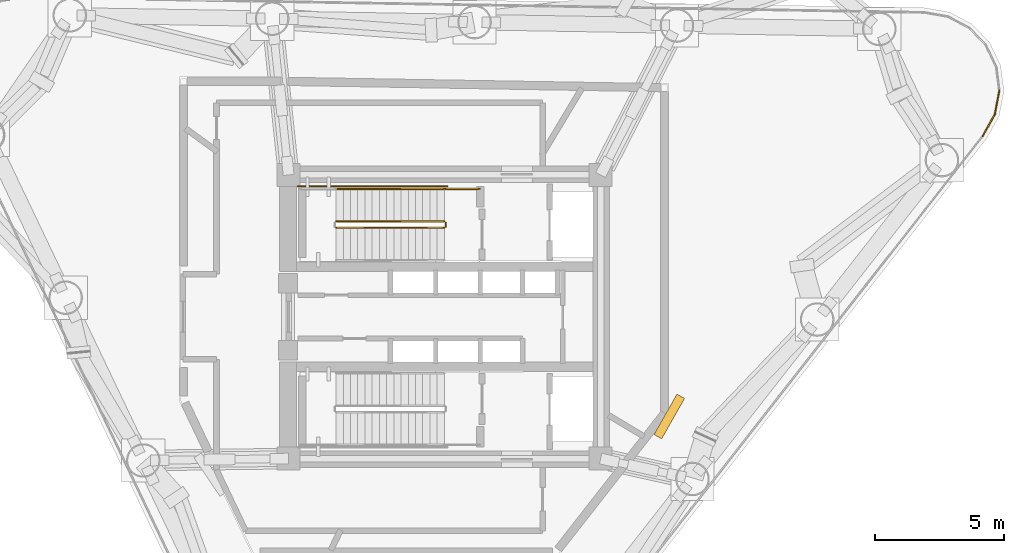
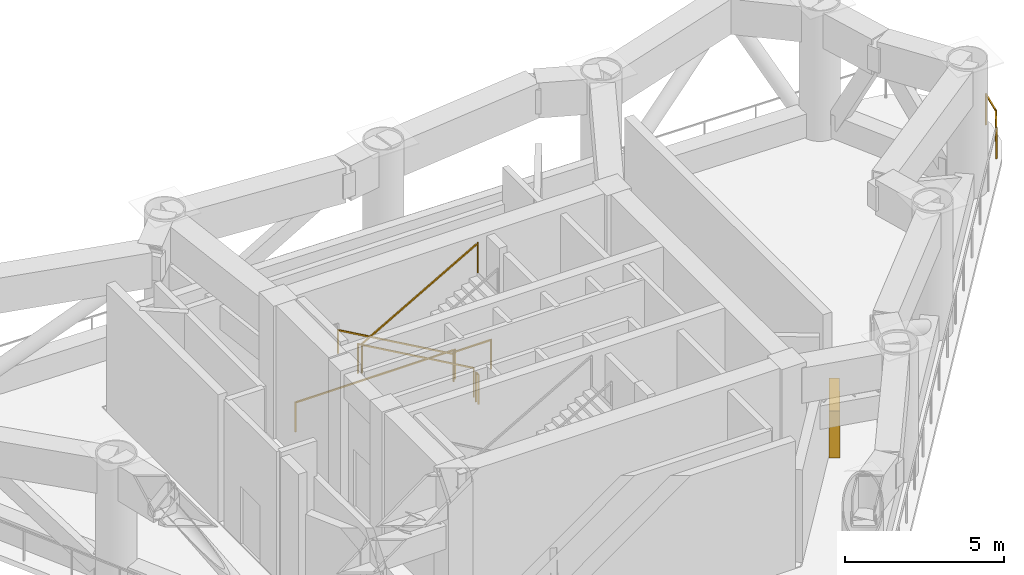
# One storey, part 8 of 9: 8 railings, 1 shading device.
"""IFC4 building model written with IfcOpenShell, lengths in metres."""

from ifc_helpers import new_model, si_unit, direction, frame, origin, origin_2d, place, context, subcontext, project, spatial, rectangle, extrude, source, transform, mapped, material, layer, layer_set, type_object, element, save


model = new_model("IFC4")

# Units and contexts
model_context = context("Model", 3, precision=1e-05, world=origin(), true_north=direction((0.0, 1.0)))
body_context = subcontext(model_context, "Body", "Model", "MODEL_VIEW")
ifc_project = project(units=[si_unit("LENGTHUNIT", "METRE"), si_unit("AREAUNIT", "SQUARE_METRE"), si_unit("VOLUMEUNIT", "CUBIC_METRE"), si_unit("PLANEANGLEUNIT", "RADIAN"), si_unit("MASSUNIT", "GRAM", prefix="KILO")], contexts=[model_context])

# Site, building, storey
site_placement = place(None, origin())
site = spatial("IfcSite", under=ifc_project, at=site_placement, CompositionType="ELEMENT")
building_placement = place(site_placement, origin())
building = spatial("IfcBuilding", under=site, at=building_placement, Name="Yunling Apex Tower", CompositionType="ELEMENT")
storey_placement = place(building_placement, frame((0.0, 0.0, 153.64990234375)))
storey = spatial("IfcBuildingStorey", under=building, at=storey_placement, Name="RF4", CompositionType="ELEMENT", Elevation=153.64990234375)

# Railings
ifc_material_1 = material(Name="Bronze anodised aluminium", Category="aluminium")
railing_type_1 = type_object("IfcRailingType", Name="RL-BAL-1200", PredefinedType="BALUSTRADE", material=ifc_material_1)
railing_1_placement = place(storey_placement, frame((21.513671875, 8.780517578125, 0.0)))
element("IfcRailing", 1, at=railing_1_placement, inside=storey, type_object=railing_type_1, Name="RL-REF-RF4-15", PredefinedType="BALUSTRADE", context=body_context, shape_type="SweptSolid", body=[
    extrude(rectangle(XDim=0.0439453125, YDim=0.0439453125, at=origin_2d()), origin(), (0.0, 0.0, 1.0), 1.199951171875),
    extrude(rectangle(XDim=0.0439453125, YDim=0.0439453125, at=origin_2d()), frame((-0.18017578125, -0.943115234375, 0.0)), (0.0, 0.0, 1.0), 1.199951171875),
    extrude(rectangle(XDim=0.050048828125, YDim=0.050048828125, at=origin_2d()), frame((-0.007080078125, -0.03759765625, 1.1748046875), z_axis=(-0.187649547232, -0.982236044657, 0.0), x_axis=(0.982236044657, -0.187649547232, 0.0)), (0.0, 0.0, 1.0), 0.883544921875),
])
railing_2_placement = place(storey_placement, frame((21.343505859375, 7.865234375, 0.0)))
element("IfcRailing", 2, at=railing_2_placement, inside=storey, type_object=railing_type_1, Name="RL-REF-RF4-16", PredefinedType="BALUSTRADE", context=body_context, shape_type="SweptSolid", body=[
    extrude(rectangle(XDim=0.0439453125, YDim=0.0439453125, at=origin_2d()), origin(), (0.0, 0.0, 1.0), 1.199951171875),
    extrude(rectangle(XDim=0.0439453125, YDim=0.0439453125, at=origin_2d()), frame((-0.4716796875, -0.8525390625, 0.0)), (0.0, 0.0, 1.0), 1.199951171875),
    extrude(rectangle(XDim=0.050048828125, YDim=0.050048828125, at=origin_2d()), frame((-0.0185546875, -0.033447265625, 1.1748046875), z_axis=(-0.484110370248, -0.875006942497, 0.0), x_axis=(0.875006942497, -0.484110370248, 0.0)), (0.0, 0.0, 1.0), 0.897705078125),
])
ifc_material_2 = material(Name="Steel Q355B", Category="steel")
railing_type_2 = type_object("IfcRailingType", Name="RL-GRD-1150", PredefinedType="GUARDRAIL", material=ifc_material_2)
railing_3_placement = place(storey_placement, frame((-0.010009765625, 3.699951171875, 0.159423828125)))
element("IfcRailing", 3, at=railing_3_placement, inside=storey, type_object=railing_type_2, Name="RF4 ST-1 stair guard 1", PredefinedType="GUARDRAIL", context=body_context, shape_type="SweptSolid", body=[
    extrude(rectangle(XDim=0.0439453125, YDim=0.0439453125, at=origin_2d()), origin(), (0.0, 0.0, 1.0), 1.14990234375),
    extrude(rectangle(XDim=0.0439453125, YDim=0.0439453125, at=origin_2d()), frame((-4.199951171875, 0.0, 2.390625)), (0.0, 0.0, 1.0), 1.14990234375),
    extrude(rectangle(XDim=0.050048828125, YDim=0.050048828125, at=origin_2d()), frame((-0.033203125, 0.0, 1.143798828125), z_axis=(-0.869075089623, 0.0, 0.494680188199), x_axis=(0.0, -1.0, 0.0)), (0.0, 0.0, 1.0), 4.756103515625),
])
railing_4_placement = place(storey_placement, frame((-4.2099609375, 3.449951171875, 2.70947265625)))
element("IfcRailing", 4, at=railing_4_placement, inside=storey, type_object=railing_type_2, Name="RF4 ST-1 stair guard 4", PredefinedType="GUARDRAIL", context=body_context, shape_type="SweptSolid", body=[
    extrude(rectangle(XDim=0.0439453125, YDim=0.0439453125, at=origin_2d()), origin(), (0.0, 0.0, 1.0), 1.14990234375),
    extrude(rectangle(XDim=0.0439453125, YDim=0.0439453125, at=origin_2d()), frame((4.199951171875, 0.0, 2.390625)), (0.0, 0.0, 1.0), 1.14990234375),
    extrude(rectangle(XDim=0.050048828125, YDim=0.050048828125, at=origin_2d()), frame((0.033203125, 0.0, 1.143798828125), z_axis=(0.869075089623, 0.0, 0.494680188199), x_axis=(0.0, 1.0, 0.0)), (0.0, 0.0, 1.0), 4.756103515625),
])
railing_5_placement = place(storey_placement, frame((0.0400390625, 3.64990234375, 0.0)))
element("IfcRailing", 5, at=railing_5_placement, inside=storey, type_object=railing_type_2, Name="RF4 ST-1 stair guard 5", PredefinedType="GUARDRAIL", context=body_context, shape_type="SweptSolid", body=[
    extrude(rectangle(XDim=0.0439453125, YDim=0.0439453125, at=origin_2d()), origin(), (0.0, 0.0, 1.0), 1.14990234375),
    extrude(rectangle(XDim=0.0439453125, YDim=0.0439453125, at=origin_2d()), frame((0.0, -0.14990234375, 0.0)), (0.0, 0.0, 1.0), 1.14990234375),
    extrude(rectangle(XDim=0.050048828125, YDim=0.050048828125, at=origin_2d()), frame((0.0, -0.038330078125, 1.125), z_axis=(0.0, -1.0, 0.0), x_axis=(1.0, 0.0, 0.0)), (0.0, 0.0, 1.0), 0.0732421875),
])
railing_6_placement = place(storey_placement, frame((1.35009765625, 4.9599609375, 0.0)))
element("IfcRailing", 6, at=railing_6_placement, inside=storey, type_object=railing_type_2, Name="RF4 ST-1 stair guard 6", PredefinedType="GUARDRAIL", context=body_context, shape_type="SweptSolid", body=[
    extrude(rectangle(XDim=0.0439453125, YDim=0.0439453125, at=origin_2d()), origin(), (0.0, 0.0, 1.0), 1.14990234375),
    extrude(rectangle(XDim=0.0439453125, YDim=0.0439453125, at=origin_2d()), frame((-1.360107421875, 0.0, 0.0)), (0.0, 0.0, 1.0), 1.14990234375),
    extrude(rectangle(XDim=0.050048828125, YDim=0.050048828125, at=origin_2d()), frame((-0.038330078125, 0.0, 1.125), z_axis=(-1.0, 0.0, 0.0), x_axis=(0.0, -1.0, 0.0)), (0.0, 0.0, 1.0), 1.283447265625),
])
railing_7_placement = place(storey_placement, frame((0.090087890625, 5.06005859375, 0.0)))
element("IfcRailing", 7, at=railing_7_placement, inside=storey, type_object=railing_type_2, Name="RF4 ST-1 stair guard 7", PredefinedType="GUARDRAIL", context=body_context, shape_type="SweptSolid", body=[
    extrude(rectangle(XDim=0.0439453125, YDim=0.0439453125, at=origin_2d()), origin(), (0.0, 0.0, 1.0), 1.14990234375),
    extrude(rectangle(XDim=0.0439453125, YDim=0.0439453125, at=origin_2d()), frame((-5.7900390625, 0.0, 0.0)), (0.0, 0.0, 1.0), 1.14990234375),
    extrude(rectangle(XDim=0.050048828125, YDim=0.050048828125, at=origin_2d()), frame((-0.038330078125, 0.0, 1.125), z_axis=(-1.0, 0.0, 0.0), x_axis=(0.0, -1.0, 0.0)), (0.0, 0.0, 1.0), 5.71337890625),
])
ifc_material_3 = material(Name="Silver anodised aluminium", Category="aluminium")
railing_type_3 = type_object("IfcRailingType", Name="RL-HND-900", PredefinedType="HANDRAIL", material=ifc_material_3)
railing_8_placement = place(storey_placement, frame((-0.010009765625, 4.9599609375, 0.159423828125)))
element("IfcRailing", 8, at=railing_8_placement, inside=storey, type_object=railing_type_3, Name="RF4 ST-1 stair handrail 1", PredefinedType="HANDRAIL", context=body_context, shape_type="SweptSolid", body=[
    extrude(rectangle(XDim=0.0439453125, YDim=0.0439453125, at=origin_2d()), origin(), (0.0, 0.0, 1.0), 0.919921875),
    extrude(rectangle(XDim=0.0439453125, YDim=0.0439453125, at=origin_2d()), frame((-4.199951171875, 0.0, 2.390625)), (0.0, 0.0, 1.0), 0.919921875),
    extrude(rectangle(XDim=0.050048828125, YDim=0.050048828125, at=origin_2d()), frame((-0.033203125, 0.0, 0.913818359375), z_axis=(-0.869075089623, 0.0, 0.494680188199), x_axis=(0.0, -1.0, 0.0)), (0.0, 0.0, 1.0), 4.756103515625),
])

# Shading device
ifc_layer = layer(ifc_material_1, 0.1201171875)
ifc_layer_set = layer_set([ifc_layer], Name="Bronze anodised aluminium")
shading_device_type = type_object("IfcShadingDeviceType", Name="LV-BRZ-1", PredefinedType="USERDEFINED", material=ifc_layer_set)
shared_shape = source(origin(), body_context, "Body", "SweptSolid", [
    extrude(rectangle(XDim=1.800048828125, YDim=0.340087890625, at=origin_2d()), origin(), (0.0, 0.0, 1.0), 1.800048828125),
])
shading_device_placement = place(storey_placement, frame((8.713134765625, -3.8662109375, 0.0), z_axis=(0.0, 0.0, 1.0), x_axis=(-0.493031062956, -0.87001170737, 0.0)))
element("IfcShadingDevice", 9, at=shading_device_placement, inside=storey, type_object=shading_device_type, Name="LV-REF-RF4-2", ObjectType="LOUVRE", PredefinedType="USERDEFINED", context=body_context, shape_type="MappedRepresentation", body=[
    mapped(shared_shape, transform((0.0, 0.0, 0.0), scale=1.0)),
])

save(model, "model.ifc")
